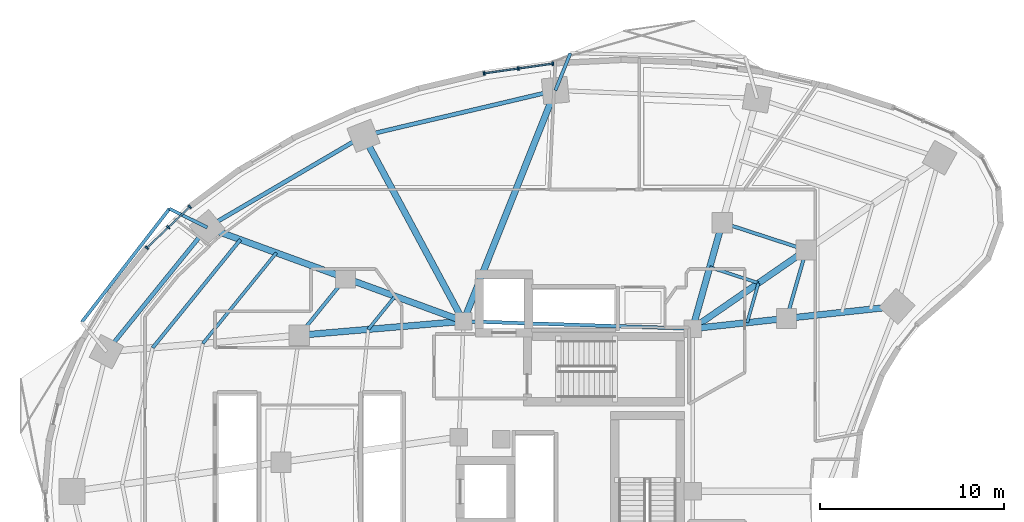
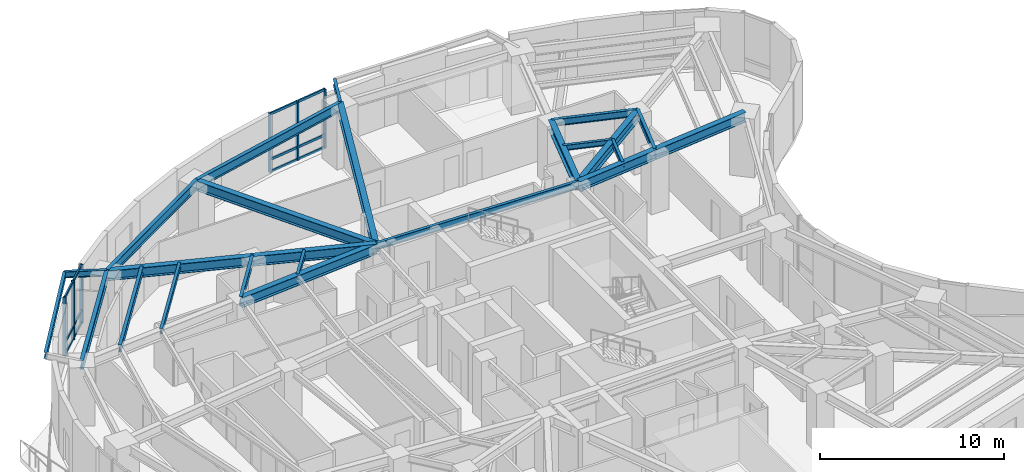
# One storey, part 5 of 15: 24 beams, 18 members, 2 elements without a shape of their own.
"""IFC4 building model written with IfcOpenShell, lengths in metres."""

import ifcopenshell
import ifcopenshell.guid

model = None  # the IFC model being written
_history = None  # IfcOwnerHistory: only IFC2X3 demands one
_inside = {}  # id of a spatial element -> (the spatial element, [elements in it])
_under = {}  # id of a project, library or spatial element -> (it, [spatial elements below it])
_declared = {}  # id of a project -> (the project, [libraries it declares])
_typed = {}  # id of a type object -> (the type object, [elements of that type])
_made_of = {}  # id of a material, layer set ... -> (it, [elements and type objects made of it])


def new_model(schema):
    """Start an empty IFC model of exactly this schema.

    Asked for "IFC4X3", IfcOpenShell would pick the latest addendum, in which some entities
    have other attributes; the version numbers below select the first issue.
    IFC2X3 requires an IfcOwnerHistory on every rooted entity: one is made here for all.
    """
    global model, _history
    if schema == "IFC4X3":
        model = ifcopenshell.file(schema_version=(4, 3, 0, 0))
    else:
        model = ifcopenshell.file(schema=schema)
    _inside.clear()
    _under.clear()
    _declared.clear()
    _typed.clear()
    _made_of.clear()
    _history = None
    if model.schema == "IFC2X3":
        org = make("IfcOrganization", Name="unknown")
        user = make(
            "IfcPersonAndOrganization",
            ThePerson=make("IfcPerson", FamilyName="unknown"),
            TheOrganization=org,
        )
        app = make(
            "IfcApplication",
            ApplicationDeveloper=org,
            Version="unknown",
            ApplicationFullName="unknown",
            ApplicationIdentifier="unknown",
        )
        _history = make(
            "IfcOwnerHistory",
            OwningUser=user,
            OwningApplication=app,
            ChangeAction="ADDED",
            CreationDate=0,
        )
    return model


def make(cls, **values):
    """One entity of the class cls with the attributes given. An attribute that is None is left unset."""
    return model.create_entity(
        cls, **{name: value for name, value in values.items() if value is not None}
    )


def rooted(cls, **values):
    """An entity with a GlobalId (a new one), such as an element, a storey or a relation."""
    return make(cls, GlobalId=ifcopenshell.guid.new(), OwnerHistory=_history, **values)


def si_unit(unit_type, name, prefix=None):
    """IfcSIUnit, for example si_unit("LENGTHUNIT", "METRE", prefix="MILLI")."""
    return make("IfcSIUnit", UnitType=unit_type, Prefix=prefix, Name=name)


def assignment(units):
    """IfcUnitAssignment: the units of a project."""
    return None if units is None else make("IfcUnitAssignment", Units=units)


def point(xyz):
    """IfcCartesianPoint."""
    return None if xyz is None else make("IfcCartesianPoint", Coordinates=xyz)


def direction(xyz):
    """IfcDirection."""
    return None if xyz is None else make("IfcDirection", DirectionRatios=xyz)


def frame(location, z_axis=None, x_axis=None):
    """IfcAxis2Placement3D, a coordinate frame: its origin and axes. An axis left out is left unset."""
    return make(
        "IfcAxis2Placement3D",
        Location=point(location),
        Axis=direction(z_axis),
        RefDirection=direction(x_axis),
    )


def frame_2d(location, x_axis=None):
    """IfcAxis2Placement2D, a coordinate frame in the plane: its origin and x axis."""
    return make(
        "IfcAxis2Placement2D", Location=point(location), RefDirection=direction(x_axis)
    )


def origin():
    """The frame at (0, 0, 0) with its axes left unset."""
    return frame((0.0, 0.0, 0.0))


def origin_2d():
    """The frame at (0, 0) in the plane with its x axis left unset."""
    return frame_2d((0.0, 0.0))


def place(relative_to, where):
    """IfcLocalPlacement: puts the frame where relative to a parent placement (None: the world)."""
    return make(
        "IfcLocalPlacement", PlacementRelTo=relative_to, RelativePlacement=where
    )


def context(
    kind, dimensions, precision=None, world=None, true_north=None, identifier=None
):
    """IfcGeometricRepresentationContext, for example the 3D "Model" context."""
    return make(
        "IfcGeometricRepresentationContext",
        ContextIdentifier=identifier,
        ContextType=kind,
        CoordinateSpaceDimension=dimensions,
        Precision=precision,
        WorldCoordinateSystem=world,
        TrueNorth=true_north,
    )


def subcontext(parent, identifier, kind, view, scale=None):
    """IfcGeometricRepresentationSubContext, for example "Body" below "Model"."""
    return make(
        "IfcGeometricRepresentationSubContext",
        ContextIdentifier=identifier,
        ContextType=kind,
        ParentContext=parent,
        TargetScale=scale,
        TargetView=view,
    )


def project(units=None, contexts=None):
    """IfcProject with its units and contexts."""
    return rooted(
        "IfcProject",
        Name="project",
        RepresentationContexts=contexts,
        UnitsInContext=assignment(units),
    )


def spatial(cls, under=None, at=None, **own):
    """A site, building, storey or space (cls), placed at a placement, below another one or the project."""
    s = rooted(cls, ObjectPlacement=at, **own)
    if under is not None:
        _under.setdefault(under.id(), (under, []))[1].append(s)
    return s


def profile(cls, at=None, kind="AREA", **sizes):
    """A parametric profile (cls). Its sizes go by their IFC names, for example OverallWidth=200.0."""
    return make(cls, ProfileType=kind, Position=at, **sizes)


def rectangle(**sizes):
    """IfcRectangleProfileDef."""
    return profile("IfcRectangleProfileDef", **sizes)


def i_section(**sizes):
    """IfcIShapeProfileDef."""
    return profile("IfcIShapeProfileDef", **sizes)


def extrude(swept, where, along, depth):
    """IfcExtrudedAreaSolid: the profile swept, set in the frame where, extruded along a direction by depth."""
    return make(
        "IfcExtrudedAreaSolid",
        SweptArea=swept,
        Position=where,
        ExtrudedDirection=direction(along),
        Depth=depth,
    )


def shape(context_of_items, identifier, shape_type, items):
    """IfcShapeRepresentation: the items that make up one representation, for example the "Body"."""
    return make(
        "IfcShapeRepresentation",
        ContextOfItems=context_of_items,
        RepresentationIdentifier=identifier,
        RepresentationType=shape_type,
        Items=items,
    )


def material(Name=None, Category=None):
    """IfcMaterial."""
    return make("IfcMaterial", Name=Name, Category=Category)


def layer(
    of_material, thickness, ventilated=None, Name=None, Category=None, Priority=None
):
    """IfcMaterialLayer: one layer of a wall or slab, of a material (None: an air gap)."""
    return make(
        "IfcMaterialLayer",
        Material=of_material,
        LayerThickness=thickness,
        IsVentilated=ventilated,
        Name=Name,
        Category=Category,
        Priority=Priority,
    )


def layer_set(layers, Name=None):
    """IfcMaterialLayerSet."""
    return make("IfcMaterialLayerSet", MaterialLayers=layers, LayerSetName=Name)


def material_profile(
    of_material, cross_section, Name=None, Category=None, Priority=None
):
    """IfcMaterialProfile: a cross section and its material."""
    return make(
        "IfcMaterialProfile",
        Name=Name,
        Material=of_material,
        Profile=cross_section,
        Priority=Priority,
        Category=Category,
    )


def profile_set(profiles, Name=None, composite=None):
    """IfcMaterialProfileSet."""
    return make(
        "IfcMaterialProfileSet",
        Name=Name,
        MaterialProfiles=profiles,
        CompositeProfile=composite,
    )


def made_of(thing, what):
    """Note that an element or type object is made of a material, layer set ...; save() writes the relation."""
    if what is not None:
        _made_of.setdefault(what.id(), (what, []))[1].append(thing)
    return thing


def type_object(cls, material=None, **own):
    """A type object (cls), such as IfcWallType, which elements share."""
    return made_of(rooted(cls, **own), material)


def element(
    cls,
    number,
    at=None,
    inside=None,
    cuts=None,
    type_object=None,
    material=None,
    context=None,
    identifier="Body",
    shape_type=None,
    held_by="IfcProductDefinitionShape",
    body=None,
    shapes=None,
    **own,
):
    """One element of the class cls, such as IfcWall. Its Tag is "e" and its number.

    at: its placement. inside: the storey or other place that contains it. cuts: it is an
    opening in that element (IfcRelVoidsElement). A single representation is given by context,
    identifier, shape_type and body (its items); several are given by shapes. held_by: the class
    of the entity that holds the representations. save() writes the other relations.
    """
    e = rooted(cls, Tag="e%d" % number, ObjectPlacement=at, **own)
    if body is not None:
        shapes = [shape(context, identifier, shape_type, body)]
    if shapes is not None:
        e.Representation = make(held_by, Representations=shapes)
    if inside is not None:
        _inside.setdefault(inside.id(), (inside, []))[1].append(e)
    if cuts is not None:
        rooted(
            "IfcRelVoidsElement", RelatingBuildingElement=cuts, RelatedOpeningElement=e
        )
    if type_object is not None:
        _typed.setdefault(type_object.id(), (type_object, []))[1].append(e)
    return made_of(e, material)


def aggregate(whole, parts):
    """IfcRelAggregates: a whole, such as a stair, and the parts it consists of."""
    return rooted("IfcRelAggregates", RelatingObject=whole, RelatedObjects=parts)


def save(model, path):
    """Write the relations noted so far, then the file.

    IfcRelAggregates (storeys below a building ...), IfcRelContainedInSpatialStructure (elements
    in a storey), IfcRelDefinesByType, IfcRelAssociatesMaterial and IfcRelDeclares: one each for
    every whole, place, type object, material and project.
    """
    for whole, parts in _under.values():
        aggregate(whole, parts)
    for where, things in _inside.values():
        rooted(
            "IfcRelContainedInSpatialStructure",
            RelatedElements=things,
            RelatingStructure=where,
        )
    for kind, things in _typed.values():
        rooted("IfcRelDefinesByType", RelatedObjects=things, RelatingType=kind)
    for what, things in _made_of.values():
        rooted("IfcRelAssociatesMaterial", RelatedObjects=things, RelatingMaterial=what)
    for by, libraries in _declared.values():
        rooted("IfcRelDeclares", RelatingContext=by, RelatedDefinitions=libraries)
    model.write(path)


model = new_model("IFC4")

# Units and contexts
model_context = context("Model", 3, precision=1e-05, world=origin(), true_north=direction((0.0, 1.0)))
body_context = subcontext(model_context, "Body", "Model", "MODEL_VIEW")
ifc_project = project(units=[si_unit("LENGTHUNIT", "METRE"), si_unit("AREAUNIT", "SQUARE_METRE"), si_unit("VOLUMEUNIT", "CUBIC_METRE"), si_unit("PLANEANGLEUNIT", "RADIAN"), si_unit("MASSUNIT", "GRAM", prefix="KILO")], contexts=[model_context])

# Site, building, storey
site_placement = place(None, origin())
site = spatial("IfcSite", under=ifc_project, at=site_placement, CompositionType="ELEMENT")
building_placement = place(site_placement, origin())
building = spatial("IfcBuilding", under=site, at=building_placement, Name="Korentha Bioscience Tower", CompositionType="ELEMENT")
storey_placement = place(building_placement, frame((0.0, 0.0, 42.60009765625)))
storey = spatial("IfcBuildingStorey", under=building, at=storey_placement, Name="L09", CompositionType="ELEMENT", Elevation=42.60009765625)

# Beams
ifc_material_1 = material(Name="Steel S355", Category="steel")
ifc_material_profile_1 = material_profile(ifc_material_1, i_section(OverallWidth=0.18994140625, OverallDepth=0.45703125, WebThickness=0.009033203125, FlangeThickness=0.014404296875, at=origin_2d()), Name="Steel S355")
ifc_profile_set_1 = profile_set([ifc_material_profile_1], Name="Steel S355 (MB-460)")
beam_type_1 = type_object("IfcBeamType", Name="Mid-Ring Tie Girder W460x74", PredefinedType="BEAM", material=ifc_profile_set_1)
beam_1_placement = place(storey_placement, frame((43.7265625, 40.121337890625, 3.67138671875), z_axis=(-0.950877001105, 0.309568940253, 0.0), x_axis=(-0.309568940253, -0.950877001105, 0.0)))
element("IfcBeam", 1, at=beam_1_placement, inside=storey, type_object=beam_type_1, Name="L09 Mid-Ring Tie Girder 01", PredefinedType="BEAM", context=body_context, shape_type="SweptSolid", body=[
    extrude(i_section(OverallWidth=0.18994140625, OverallDepth=0.45703125, WebThickness=0.009033203125, FlangeThickness=0.014404296875, at=origin_2d()), origin(), (0.0, 0.0, 1.0), 4.80126953125),
])
beam_2_placement = place(storey_placement, frame((18.692138671875, 38.5947265625, 3.67138671875), z_axis=(-0.629790009744, -0.776765436684, 0.0), x_axis=(0.776765436684, -0.629790009744, 0.0)))
element("IfcBeam", 2, at=beam_2_placement, inside=storey, type_object=beam_type_1, Name="L09 Mid-Ring Tie Girder 05", PredefinedType="BEAM", context=body_context, shape_type="SweptSolid", body=[
    extrude(i_section(OverallWidth=0.18994140625, OverallDepth=0.45703125, WebThickness=0.009033203125, FlangeThickness=0.014404296875, at=origin_2d()), origin(), (0.0, 0.0, 1.0), 3.998291015625),
])
beam_3_placement = place(storey_placement, frame((42.66162109375, 36.406982421875, 3.67138671875), z_axis=(0.27560557792, 0.961270807535, 0.0), x_axis=(-0.961270807535, 0.27560557792, 0.0)))
element("IfcBeam", 3, at=beam_3_placement, inside=storey, type_object=beam_type_1, Name="L09 Mid-Ring Tie Girder 16", PredefinedType="BEAM", context=body_context, shape_type="SweptSolid", body=[
    extrude(i_section(OverallWidth=0.18994140625, OverallDepth=0.45703125, WebThickness=0.009033203125, FlangeThickness=0.014404296875, at=origin_2d()), origin(), (0.0, 0.0, 1.0), 3.864013671875),
])
beam_4_placement = place(storey_placement, frame((37.550048828125, 35.85009765625, 3.67138671875), z_axis=(-0.999484526071, 0.032104238723, 0.0), x_axis=(-0.032104238723, -0.999484526071, 0.0)))
element("IfcBeam", 4, at=beam_4_placement, inside=storey, type_object=beam_type_1, Name="L09 Core Ring Tie Girder 01", PredefinedType="BEAM", context=body_context, shape_type="SweptSolid", body=[
    extrude(i_section(OverallWidth=0.18994140625, OverallDepth=0.45703125, WebThickness=0.009033203125, FlangeThickness=0.014404296875, at=origin_2d()), origin(), (0.0, 0.0, 1.0), 12.456298828125),
])

# Curtain wall, members
ifc_material_2 = material(Name="Thermally Broken Aluminium Frame", Category="aluminium")
ifc_layer = layer(ifc_material_2, 0.219970703125, Name="Thermally Broken Aluminium Frame")
ifc_layer_set = layer_set([ifc_layer], Name="Thermally Broken Aluminium Frame (CW-T1)")
curtain_wall_type = type_object("IfcCurtainWallType", Name="Standard Bioscience Lab Unitised Curtain Wall CW-T1", PredefinedType="USERDEFINED", material=ifc_layer_set)
curtain_wall_1_placement = place(storey_placement, origin())
curtain_wall_1 = element("IfcCurtainWall", 5, at=curtain_wall_1_placement, inside=storey, type_object=curtain_wall_type, Name="L09 Curtain Wall 07", ObjectType="UNITISED", PredefinedType="USERDEFINED")
ifc_material_3 = material(Name="Anodised Aluminium 6063-T6", Category="aluminium")
ifc_material_profile_2 = material_profile(ifc_material_3, rectangle(XDim=0.090087890625, YDim=0.199951171875, at=origin_2d()), Name="Anodised Aluminium 6063-T6")
ifc_profile_set_2 = profile_set([ifc_material_profile_2], Name="Anodised Aluminium 6063-T6 (CW-MUL)")
member_type_1 = type_object("IfcMemberType", Name="Mullion RECT 90x200", PredefinedType="MULLION", material=ifc_profile_set_2)
member_1_placement = place(storey_placement, frame((29.95849609375, 50.247802734375, 0.0), z_axis=(0.0, 0.0, 1.0), x_axis=(-0.990167372968, -0.139887717511, 0.0)))
member_1 = element("IfcMember", 6, at=member_1_placement, type_object=member_type_1, Name="CW-L09-07 Mullion 1", PredefinedType="MULLION", context=body_context, shape_type="SweptSolid", body=[
    extrude(rectangle(XDim=0.090087890625, YDim=0.199951171875, at=origin_2d()), origin(), (0.0, 0.0, 1.0), 3.89990234375),
])
member_2_placement = place(storey_placement, frame((28.086669921875, 49.9833984375, 0.0), z_axis=(0.0, 0.0, 1.0), x_axis=(-0.990167372968, -0.139887717511, 0.0)))
member_2 = element("IfcMember", 7, at=member_2_placement, type_object=member_type_1, Name="CW-L09-07 Mullion 2", PredefinedType="MULLION", context=body_context, shape_type="SweptSolid", body=[
    extrude(rectangle(XDim=0.090087890625, YDim=0.199951171875, at=origin_2d()), origin(), (0.0, 0.0, 1.0), 3.89990234375),
])
member_3_placement = place(storey_placement, frame((26.214599609375, 49.718994140625, 0.0), z_axis=(0.0, 0.0, 1.0), x_axis=(-0.990167372968, -0.139887717511, 0.0)))
member_3 = element("IfcMember", 8, at=member_3_placement, type_object=member_type_1, Name="CW-L09-07 Mullion 3", PredefinedType="MULLION", context=body_context, shape_type="SweptSolid", body=[
    extrude(rectangle(XDim=0.090087890625, YDim=0.199951171875, at=origin_2d()), origin(), (0.0, 0.0, 1.0), 3.89990234375),
])

curtain_wall_2_placement = place(storey_placement, origin())
curtain_wall_2 = element("IfcCurtainWall", 9, at=curtain_wall_2_placement, inside=storey, type_object=curtain_wall_type, Name="L09 Curtain Wall 13", ObjectType="UNITISED", PredefinedType="USERDEFINED")
member_4_placement = place(storey_placement, frame((10.228759765625, 42.467041015625, 0.0), z_axis=(0.0, 0.0, 1.0), x_axis=(-0.723641761581, -0.690175775361, 0.0)))
member_4 = element("IfcMember", 10, at=member_4_placement, type_object=member_type_1, Name="CW-L09-13 Mullion 1", PredefinedType="MULLION", context=body_context, shape_type="SweptSolid", body=[
    extrude(rectangle(XDim=0.090087890625, YDim=0.199951171875, at=origin_2d()), origin(), (0.0, 0.0, 1.0), 3.89990234375),
])
member_5_placement = place(storey_placement, frame((9.05908203125, 41.3515625, 0.0), z_axis=(0.0, 0.0, 1.0), x_axis=(-0.723641761581, -0.690175775361, 0.0)))
member_5 = element("IfcMember", 11, at=member_5_placement, type_object=member_type_1, Name="CW-L09-13 Mullion 2", PredefinedType="MULLION", context=body_context, shape_type="SweptSolid", body=[
    extrude(rectangle(XDim=0.090087890625, YDim=0.199951171875, at=origin_2d()), origin(), (0.0, 0.0, 1.0), 3.89990234375),
])
member_6_placement = place(storey_placement, frame((7.889404296875, 40.236083984375, 0.0), z_axis=(0.0, 0.0, 1.0), x_axis=(-0.723641761581, -0.690175775361, 0.0)))
member_6 = element("IfcMember", 12, at=member_6_placement, type_object=member_type_1, Name="CW-L09-13 Mullion 3", PredefinedType="MULLION", context=body_context, shape_type="SweptSolid", body=[
    extrude(rectangle(XDim=0.090087890625, YDim=0.199951171875, at=origin_2d()), origin(), (0.0, 0.0, 1.0), 3.89990234375),
])

# Beams
ifc_material_profile_3 = material_profile(ifc_material_1, i_section(OverallWidth=0.22802734375, OverallDepth=0.60791015625, WebThickness=0.01123046875, FlangeThickness=0.017333984375, at=origin_2d()), Name="Steel S355")
ifc_profile_set_3 = profile_set([ifc_material_profile_3], Name="Steel S355 (SB-610)")
beam_type_2 = type_object("IfcBeamType", Name="Perimeter Ring Spandrel Girder W610x113", PredefinedType="SPANDREL", material=ifc_profile_set_3)
beam_5_placement = place(storey_placement, frame((30.09423828125, 48.79248046875, 3.595947265625), z_axis=(-0.973207885376, -0.229926970672, 0.0), x_axis=(0.229926970672, -0.973207885376, 0.0)))
element("IfcBeam", 13, at=beam_5_placement, inside=storey, type_object=beam_type_2, Name="L09 Perimeter Spandrel Girder 03", PredefinedType="SPANDREL", context=body_context, shape_type="SweptSolid", body=[
    extrude(i_section(OverallWidth=0.22802734375, OverallDepth=0.60791015625, WebThickness=0.01123046875, FlangeThickness=0.017333984375, at=origin_2d()), origin(), (0.0, 0.0, 1.0), 10.71484375),
])
beam_6_placement = place(storey_placement, frame((19.66650390625, 46.328857421875, 3.595947265625), z_axis=(-0.862656574181, -0.505790109653, 0.0), x_axis=(0.505790109653, -0.862656574181, 0.0)))
element("IfcBeam", 14, at=beam_6_placement, inside=storey, type_object=beam_type_2, Name="L09 Perimeter Spandrel Girder 04", PredefinedType="SPANDREL", context=body_context, shape_type="SweptSolid", body=[
    extrude(i_section(OverallWidth=0.22802734375, OverallDepth=0.60791015625, WebThickness=0.01123046875, FlangeThickness=0.017333984375, at=origin_2d()), origin(), (0.0, 0.0, 1.0), 9.849365234375),
])
beam_7_placement = place(storey_placement, frame((11.169921875, 41.34716796875, 3.595947265625), z_axis=(-0.629799210231, -0.776757976974, 0.0), x_axis=(0.776757976974, -0.629799210231, 0.0)))
element("IfcBeam", 15, at=beam_7_placement, inside=storey, type_object=beam_type_2, Name="L09 Perimeter Spandrel Girder 05", PredefinedType="SPANDREL", context=body_context, shape_type="SweptSolid", body=[
    extrude(i_section(OverallWidth=0.22802734375, OverallDepth=0.60791015625, WebThickness=0.01123046875, FlangeThickness=0.017333984375, at=origin_2d()), origin(), (0.0, 0.0, 1.0), 8.69189453125),
])
ifc_material_profile_4 = material_profile(ifc_material_1, i_section(OverallWidth=0.18994140625, OverallDepth=0.45703125, WebThickness=0.009033203125, FlangeThickness=0.014404296875, at=origin_2d()), Name="Steel S355")
ifc_profile_set_4 = profile_set([ifc_material_profile_4], Name="Steel S355 (RB-460)")
beam_type_3 = type_object("IfcBeamType", Name="Radial Laboratory Beam W460x74", PredefinedType="BEAM", material=ifc_profile_set_4)
beam_8_placement = place(storey_placement, frame((12.97509765625, 40.6865234375, 3.67138671875), z_axis=(-0.629797748553, -0.776759162107, 0.0), x_axis=(0.776759162107, -0.629797748553, 0.0)))
element("IfcBeam", 16, at=beam_8_placement, inside=storey, type_object=beam_type_3, Name="L09 Secondary Floor Beam JSTO-05", PredefinedType="BEAM", context=body_context, shape_type="SweptSolid", body=[
    extrude(i_section(OverallWidth=0.18994140625, OverallDepth=0.45703125, WebThickness=0.009033203125, FlangeThickness=0.014404296875, at=origin_2d()), origin(), (0.0, 0.0, 1.0), 7.5654296875),
])
ifc_material_profile_5 = material_profile(ifc_material_1, i_section(OverallWidth=0.35009765625, OverallDepth=0.64990234375, WebThickness=0.01611328125, FlangeThickness=0.02490234375, at=origin_2d()), Name="Steel S355")
ifc_profile_set_5 = profile_set([ifc_material_profile_5], Name="Steel S355 (RB-650)")
beam_type_4 = type_object("IfcBeamType", Name="Radial Laboratory Girder CVS 650x208", PredefinedType="BEAM", material=ifc_profile_set_5)
beam_9_placement = place(storey_placement, frame((37.550048828125, 35.85009765625, 3.574951171875), z_axis=(0.822491697625, 0.568777115694, 0.0), x_axis=(-0.568777115694, 0.822491697625, 0.0)))
element("IfcBeam", 17, at=beam_9_placement, inside=storey, type_object=beam_type_4, Name="L09 Inner Radial Girder 01", PredefinedType="BEAM", context=body_context, shape_type="SweptSolid", body=[
    extrude(i_section(OverallWidth=0.35009765625, OverallDepth=0.64990234375, WebThickness=0.01611328125, FlangeThickness=0.02490234375, at=origin_2d()), origin(), (0.0, 0.0, 1.0), 7.509521484375),
])
beam_10_placement = place(storey_placement, frame((37.550048828125, 35.85009765625, 3.574951171875), z_axis=(0.269469369205, 0.963008961049, 0.0), x_axis=(-0.963008961049, 0.269469369205, 0.0)))
element("IfcBeam", 18, at=beam_10_placement, inside=storey, type_object=beam_type_4, Name="L09 Inner Radial Girder 02", PredefinedType="BEAM", context=body_context, shape_type="SweptSolid", body=[
    extrude(i_section(OverallWidth=0.35009765625, OverallDepth=0.64990234375, WebThickness=0.01611328125, FlangeThickness=0.02490234375, at=origin_2d()), origin(), (0.0, 0.0, 1.0), 5.978759765625),
])
beam_11_placement = place(storey_placement, frame((25.10009765625, 36.25, 3.574951171875), z_axis=(0.369931007413, 0.929059228335, 0.0), x_axis=(-0.929059228335, 0.369931007413, 0.0)))
element("IfcBeam", 19, at=beam_11_placement, inside=storey, type_object=beam_type_4, Name="L09 Radial Girder 03", PredefinedType="BEAM", context=body_context, shape_type="SweptSolid", body=[
    extrude(i_section(OverallWidth=0.35009765625, OverallDepth=0.64990234375, WebThickness=0.01611328125, FlangeThickness=0.02490234375, at=origin_2d()), origin(), (0.0, 0.0, 1.0), 13.500244140625),
])
beam_12_placement = place(storey_placement, frame((25.10009765625, 36.25, 3.574951171875), z_axis=(-0.47454097106, 0.880233416081, 0.0), x_axis=(-0.880233416081, -0.47454097106, 0.0)))
element("IfcBeam", 20, at=beam_12_placement, inside=storey, type_object=beam_type_4, Name="L09 Radial Girder 04", PredefinedType="BEAM", context=body_context, shape_type="SweptSolid", body=[
    extrude(i_section(OverallWidth=0.35009765625, OverallDepth=0.64990234375, WebThickness=0.01611328125, FlangeThickness=0.02490234375, at=origin_2d()), origin(), (0.0, 0.0, 1.0), 11.4501953125),
])
beam_13_placement = place(storey_placement, frame((25.10009765625, 36.25, 3.574951171875), z_axis=(-0.939106237741, 0.343626940498, 0.0), x_axis=(-0.343626940498, -0.939106237741, 0.0)))
element("IfcBeam", 21, at=beam_13_placement, inside=storey, type_object=beam_type_4, Name="L09 Inner Radial Girder 05", PredefinedType="BEAM", context=body_context, shape_type="SweptSolid", body=[
    extrude(i_section(OverallWidth=0.35009765625, OverallDepth=0.64990234375, WebThickness=0.01611328125, FlangeThickness=0.02490234375, at=origin_2d()), origin(), (0.0, 0.0, 1.0), 6.823486328125),
])
beam_14_placement = place(storey_placement, frame((18.692138671875, 38.5947265625, 3.574951171875), z_axis=(-0.939106299948, 0.343626770491, 0.0), x_axis=(-0.343626770491, -0.939106299948, 0.0)))
element("IfcBeam", 22, at=beam_14_placement, inside=storey, type_object=beam_type_4, Name="L09 Outer Radial Girder 05", PredefinedType="BEAM", context=body_context, shape_type="SweptSolid", body=[
    extrude(i_section(OverallWidth=0.35009765625, OverallDepth=0.64990234375, WebThickness=0.01611328125, FlangeThickness=0.02490234375, at=origin_2d()), origin(), (0.0, 0.0, 1.0), 8.010009765625),
])
beam_15_placement = place(storey_placement, frame((25.10009765625, 36.25, 3.574951171875), z_axis=(-0.996385503026, -0.08494662654, 0.0), x_axis=(0.08494662654, -0.996385503026, 0.0)))
element("IfcBeam", 23, at=beam_15_placement, inside=storey, type_object=beam_type_4, Name="L09 Inner Radial Girder 06", PredefinedType="BEAM", context=body_context, shape_type="SweptSolid", body=[
    extrude(i_section(OverallWidth=0.35009765625, OverallDepth=0.64990234375, WebThickness=0.01611328125, FlangeThickness=0.02490234375, at=origin_2d()), origin(), (0.0, 0.0, 1.0), 8.95849609375),
])
beam_16_placement = place(storey_placement, frame((37.550048828125, 35.85009765625, 3.574951171875), z_axis=(0.994117709144, 0.10830503389, 0.0), x_axis=(-0.10830503389, 0.994117709144, 0.0)))
element("IfcBeam", 24, at=beam_16_placement, inside=storey, type_object=beam_type_4, Name="L09 Inner Radial Girder 16", PredefinedType="BEAM", context=body_context, shape_type="SweptSolid", body=[
    extrude(i_section(OverallWidth=0.35009765625, OverallDepth=0.64990234375, WebThickness=0.01611328125, FlangeThickness=0.02490234375, at=origin_2d()), origin(), (0.0, 0.0, 1.0), 5.141845703125),
])
beam_17_placement = place(storey_placement, frame((42.66162109375, 36.406982421875, 3.574951171875), z_axis=(0.994115805925, 0.108322501862, 0.0), x_axis=(-0.108322501862, 0.994115805925, 0.0)))
element("IfcBeam", 25, at=beam_17_placement, inside=storey, type_object=beam_type_4, Name="L09 Outer Radial Girder 16", PredefinedType="BEAM", context=body_context, shape_type="SweptSolid", body=[
    extrude(i_section(OverallWidth=0.35009765625, OverallDepth=0.64990234375, WebThickness=0.01611328125, FlangeThickness=0.02490234375, at=origin_2d()), origin(), (0.0, 0.0, 1.0), 6.03564453125),
])
ifc_material_profile_6 = material_profile(ifc_material_1, i_section(OverallWidth=0.1708984375, OverallDepth=0.35498046875, WebThickness=0.007080078125, FlangeThickness=0.01171875, at=origin_2d()), Name="Steel S355")
ifc_profile_set_6 = profile_set([ifc_material_profile_6], Name="Steel S355 (JB-360)")
beam_type_5 = type_object("IfcBeamType", Name="Secondary Laboratory Joist W360x51", PredefinedType="JOIST", material=ifc_profile_set_6)
beam_18_placement = place(storey_placement, frame((41.13232421875, 38.327392578125, 3.722412109375), z_axis=(-0.950869630746, 0.309591578254, 0.0), x_axis=(-0.309591578254, -0.950869630746, 0.0)))
element("IfcBeam", 26, at=beam_18_placement, inside=storey, type_object=beam_type_5, Name="L09 Inner Bay Joist 01", PredefinedType="JOIST", context=body_context, shape_type="SweptSolid", body=[
    extrude(i_section(OverallWidth=0.1708984375, OverallDepth=0.35498046875, WebThickness=0.007080078125, FlangeThickness=0.01171875, at=origin_2d()), origin(), (0.0, 0.0, 1.0), 2.784423828125),
])
beam_19_placement = place(storey_placement, frame((14.930908203125, 39.970947265625, 3.722412109375), z_axis=(-0.629786899984, -0.776767958021, 0.0), x_axis=(0.776767958021, -0.629786899984, 0.0)))
element("IfcBeam", 27, at=beam_19_placement, inside=storey, type_object=beam_type_5, Name="L09 Secondary Floor Beam JST-05", PredefinedType="JOIST", context=body_context, shape_type="SweptSolid", body=[
    extrude(i_section(OverallWidth=0.1708984375, OverallDepth=0.35498046875, WebThickness=0.007080078125, FlangeThickness=0.01171875, at=origin_2d()), origin(), (0.0, 0.0, 1.0), 6.34521484375),
])
beam_20_placement = place(storey_placement, frame((21.38330078125, 37.60986328125, 3.722412109375), z_axis=(-0.629791657613, -0.776764100613, 0.0), x_axis=(0.776764100613, -0.629791657613, 0.0)))
element("IfcBeam", 28, at=beam_20_placement, inside=storey, type_object=beam_type_5, Name="L09 Inner Bay Joist 05", PredefinedType="JOIST", context=body_context, shape_type="SweptSolid", body=[
    extrude(i_section(OverallWidth=0.1708984375, OverallDepth=0.35498046875, WebThickness=0.007080078125, FlangeThickness=0.01171875, at=origin_2d()), origin(), (0.0, 0.0, 1.0), 2.31884765625),
])
beam_21_placement = place(storey_placement, frame((40.5146484375, 36.173095703125, 3.722412109375), z_axis=(0.275613067773, 0.961268660091, 0.0), x_axis=(-0.961268660091, 0.275613067773, 0.0)))
element("IfcBeam", 29, at=beam_21_placement, inside=storey, type_object=beam_type_5, Name="L09 Inner Bay Joist 16", PredefinedType="JOIST", context=body_context, shape_type="SweptSolid", body=[
    extrude(i_section(OverallWidth=0.1708984375, OverallDepth=0.35498046875, WebThickness=0.007080078125, FlangeThickness=0.01171875, at=origin_2d()), origin(), (0.0, 0.0, 1.0), 2.2412109375),
])
ifc_material_profile_7 = material_profile(ifc_material_1, i_section(OverallWidth=0.177978515625, OverallDepth=0.406982421875, WebThickness=0.0078125, FlangeThickness=0.0126953125, at=origin_2d()), Name="Steel S355")
ifc_profile_set_7 = profile_set([ifc_material_profile_7], Name="Steel S355 (CB-410)")
beam_type_6 = type_object("IfcBeamType", Name="Sun-Ledge Cantilever Beam W410x60", PredefinedType="BEAM", material=ifc_profile_set_7)
beam_22_placement = place(storey_placement, frame((30.09423828125, 48.79248046875, 3.698486328125), z_axis=(0.372971735808, 0.927842704497, 0.0), x_axis=(-0.927842704497, 0.372971735808, 0.0)))
element("IfcBeam", 30, at=beam_22_placement, inside=storey, type_object=beam_type_6, Name="L09 Balcony Cantilever Bracket B-L10-01", PredefinedType="BEAM", context=body_context, shape_type="SweptSolid", body=[
    extrude(i_section(OverallWidth=0.177978515625, OverallDepth=0.406982421875, WebThickness=0.0078125, FlangeThickness=0.0126953125, at=origin_2d()), origin(), (0.0, 0.0, 1.0), 2.182373046875),
])
beam_23_placement = place(storey_placement, frame((11.169921875, 41.34716796875, 3.698486328125), z_axis=(-0.895871917381, 0.444312398711, 0.0), x_axis=(-0.444312398711, -0.895871917381, 0.0)))
element("IfcBeam", 31, at=beam_23_placement, inside=storey, type_object=beam_type_6, Name="L09 Balcony Cantilever Bracket A-L10-02", PredefinedType="BEAM", context=body_context, shape_type="SweptSolid", body=[
    extrude(i_section(OverallWidth=0.177978515625, OverallDepth=0.406982421875, WebThickness=0.0078125, FlangeThickness=0.0126953125, at=origin_2d()), origin(), (0.0, 0.0, 1.0), 2.290771484375),
])
beam_24_placement = place(storey_placement, frame((9.11767578125, 42.364990234375, 3.698486328125), z_axis=(-0.611643786386, -0.791133287491, 0.0), x_axis=(0.791133287491, -0.611643786386, 0.0)))
element("IfcBeam", 32, at=beam_24_placement, inside=storey, type_object=beam_type_6, Name="L09 Balcony Edge Trimmer Beam L10-02", PredefinedType="BEAM", context=body_context, shape_type="SweptSolid", body=[
    extrude(i_section(OverallWidth=0.177978515625, OverallDepth=0.406982421875, WebThickness=0.0078125, FlangeThickness=0.0126953125, at=origin_2d()), origin(), (0.0, 0.0, 1.0), 7.787109375),
])

# Member
ifc_material_profile_8 = material_profile(ifc_material_3, rectangle(XDim=0.090087890625, YDim=0.159912109375, at=origin_2d()), Name="Anodised Aluminium 6063-T6")
ifc_profile_set_8 = profile_set([ifc_material_profile_8], Name="Anodised Aluminium 6063-T6 (CW-TRN)")
member_type_2 = type_object("IfcMemberType", Name="Transom RECT 90x160", PredefinedType="USERDEFINED", material=ifc_profile_set_8)
member_7_placement = place(storey_placement, frame((29.913818359375, 50.24169921875, 0.044921875), z_axis=(-0.990159924061, -0.139940432982, 0.0), x_axis=(0.139940432982, -0.990159924061, 0.0)))
member_7 = element("IfcMember", 33, at=member_7_placement, type_object=member_type_2, Name="CW-L09-07 Bay 1 Transom 1", ObjectType="TRANSOM", PredefinedType="USERDEFINED", context=body_context, shape_type="SweptSolid", body=[
    extrude(rectangle(XDim=0.090087890625, YDim=0.159912109375, at=origin_2d()), origin(), (0.0, 0.0, 1.0), 1.800537109375),
])

member_8_placement = place(storey_placement, frame((29.913818359375, 50.24169921875, 0.849853515625), z_axis=(-0.990159924061, -0.139940432982, 0.0), x_axis=(0.139940432982, -0.990159924061, 0.0)))
member_8 = element("IfcMember", 34, at=member_8_placement, type_object=member_type_2, Name="CW-L09-07 Bay 1 Transom 2", ObjectType="TRANSOM", PredefinedType="USERDEFINED", context=body_context, shape_type="SweptSolid", body=[
    extrude(rectangle(XDim=0.090087890625, YDim=0.159912109375, at=origin_2d()), origin(), (0.0, 0.0, 1.0), 1.800537109375),
])

member_9_placement = place(storey_placement, frame((29.913818359375, 50.24169921875, 3.85498046875), z_axis=(-0.990159924061, -0.139940432982, 0.0), x_axis=(0.139940432982, -0.990159924061, 0.0)))
member_9 = element("IfcMember", 35, at=member_9_placement, type_object=member_type_2, Name="CW-L09-07 Bay 1 Transom 3", ObjectType="TRANSOM", PredefinedType="USERDEFINED", context=body_context, shape_type="SweptSolid", body=[
    extrude(rectangle(XDim=0.090087890625, YDim=0.159912109375, at=origin_2d()), origin(), (0.0, 0.0, 1.0), 1.800537109375),
])

member_10_placement = place(storey_placement, frame((28.0419921875, 49.977294921875, 0.044921875), z_axis=(-0.990159924061, -0.139940432982, 0.0), x_axis=(0.139940432982, -0.990159924061, 0.0)))
member_10 = element("IfcMember", 36, at=member_10_placement, type_object=member_type_2, Name="CW-L09-07 Bay 2 Transom 1", ObjectType="TRANSOM", PredefinedType="USERDEFINED", context=body_context, shape_type="SweptSolid", body=[
    extrude(rectangle(XDim=0.090087890625, YDim=0.159912109375, at=origin_2d()), origin(), (0.0, 0.0, 1.0), 1.800537109375),
])

member_11_placement = place(storey_placement, frame((28.0419921875, 49.977294921875, 0.849853515625), z_axis=(-0.990159924061, -0.139940432982, 0.0), x_axis=(0.139940432982, -0.990159924061, 0.0)))
member_11 = element("IfcMember", 37, at=member_11_placement, type_object=member_type_2, Name="CW-L09-07 Bay 2 Transom 2", ObjectType="TRANSOM", PredefinedType="USERDEFINED", context=body_context, shape_type="SweptSolid", body=[
    extrude(rectangle(XDim=0.090087890625, YDim=0.159912109375, at=origin_2d()), origin(), (0.0, 0.0, 1.0), 1.800537109375),
])

member_12_placement = place(storey_placement, frame((28.0419921875, 49.977294921875, 3.85498046875), z_axis=(-0.990159924061, -0.139940432982, 0.0), x_axis=(0.139940432982, -0.990159924061, 0.0)))
member_12 = element("IfcMember", 38, at=member_12_placement, type_object=member_type_2, Name="CW-L09-07 Bay 2 Transom 3", ObjectType="TRANSOM", PredefinedType="USERDEFINED", context=body_context, shape_type="SweptSolid", body=[
    extrude(rectangle(XDim=0.090087890625, YDim=0.159912109375, at=origin_2d()), origin(), (0.0, 0.0, 1.0), 1.800537109375),
])

aggregate(curtain_wall_1, [member_1, member_2, member_3, member_7, member_8, member_9, member_10, member_11, member_12])

member_13_placement = place(storey_placement, frame((10.1962890625, 42.43603515625, 0.044921875), z_axis=(-0.72370039216, -0.690114296612, 0.0), x_axis=(0.690114296612, -0.72370039216, 0.0)))
member_13 = element("IfcMember", 39, at=member_13_placement, type_object=member_type_2, Name="CW-L09-13 Bay 1 Transom 1", ObjectType="TRANSOM", PredefinedType="USERDEFINED", context=body_context, shape_type="SweptSolid", body=[
    extrude(rectangle(XDim=0.090087890625, YDim=0.159912109375, at=origin_2d()), origin(), (0.0, 0.0, 1.0), 1.526611328125),
])

member_14_placement = place(storey_placement, frame((10.1962890625, 42.43603515625, 0.849853515625), z_axis=(-0.72370039216, -0.690114296612, 0.0), x_axis=(0.690114296612, -0.72370039216, 0.0)))
member_14 = element("IfcMember", 40, at=member_14_placement, type_object=member_type_2, Name="CW-L09-13 Bay 1 Transom 2", ObjectType="TRANSOM", PredefinedType="USERDEFINED", context=body_context, shape_type="SweptSolid", body=[
    extrude(rectangle(XDim=0.090087890625, YDim=0.159912109375, at=origin_2d()), origin(), (0.0, 0.0, 1.0), 1.526611328125),
])

member_15_placement = place(storey_placement, frame((10.1962890625, 42.43603515625, 3.85498046875), z_axis=(-0.72370039216, -0.690114296612, 0.0), x_axis=(0.690114296612, -0.72370039216, 0.0)))
member_15 = element("IfcMember", 41, at=member_15_placement, type_object=member_type_2, Name="CW-L09-13 Bay 1 Transom 3", ObjectType="TRANSOM", PredefinedType="USERDEFINED", context=body_context, shape_type="SweptSolid", body=[
    extrude(rectangle(XDim=0.090087890625, YDim=0.159912109375, at=origin_2d()), origin(), (0.0, 0.0, 1.0), 1.526611328125),
])

member_16_placement = place(storey_placement, frame((9.026611328125, 41.320556640625, 0.044921875), z_axis=(-0.72370039216, -0.690114296612, 0.0), x_axis=(0.690114296612, -0.72370039216, 0.0)))
member_16 = element("IfcMember", 42, at=member_16_placement, type_object=member_type_2, Name="CW-L09-13 Bay 2 Transom 1", ObjectType="TRANSOM", PredefinedType="USERDEFINED", context=body_context, shape_type="SweptSolid", body=[
    extrude(rectangle(XDim=0.090087890625, YDim=0.159912109375, at=origin_2d()), origin(), (0.0, 0.0, 1.0), 1.526611328125),
])

member_17_placement = place(storey_placement, frame((9.026611328125, 41.320556640625, 0.849853515625), z_axis=(-0.72370039216, -0.690114296612, 0.0), x_axis=(0.690114296612, -0.72370039216, 0.0)))
member_17 = element("IfcMember", 43, at=member_17_placement, type_object=member_type_2, Name="CW-L09-13 Bay 2 Transom 2", ObjectType="TRANSOM", PredefinedType="USERDEFINED", context=body_context, shape_type="SweptSolid", body=[
    extrude(rectangle(XDim=0.090087890625, YDim=0.159912109375, at=origin_2d()), origin(), (0.0, 0.0, 1.0), 1.526611328125),
])

member_18_placement = place(storey_placement, frame((9.026611328125, 41.320556640625, 3.85498046875), z_axis=(-0.72370039216, -0.690114296612, 0.0), x_axis=(0.690114296612, -0.72370039216, 0.0)))
member_18 = element("IfcMember", 44, at=member_18_placement, type_object=member_type_2, Name="CW-L09-13 Bay 2 Transom 3", ObjectType="TRANSOM", PredefinedType="USERDEFINED", context=body_context, shape_type="SweptSolid", body=[
    extrude(rectangle(XDim=0.090087890625, YDim=0.159912109375, at=origin_2d()), origin(), (0.0, 0.0, 1.0), 1.526611328125),
])

aggregate(curtain_wall_2, [member_4, member_5, member_6, member_13, member_14, member_15, member_16, member_17, member_18])

save(model, "model.ifc")
